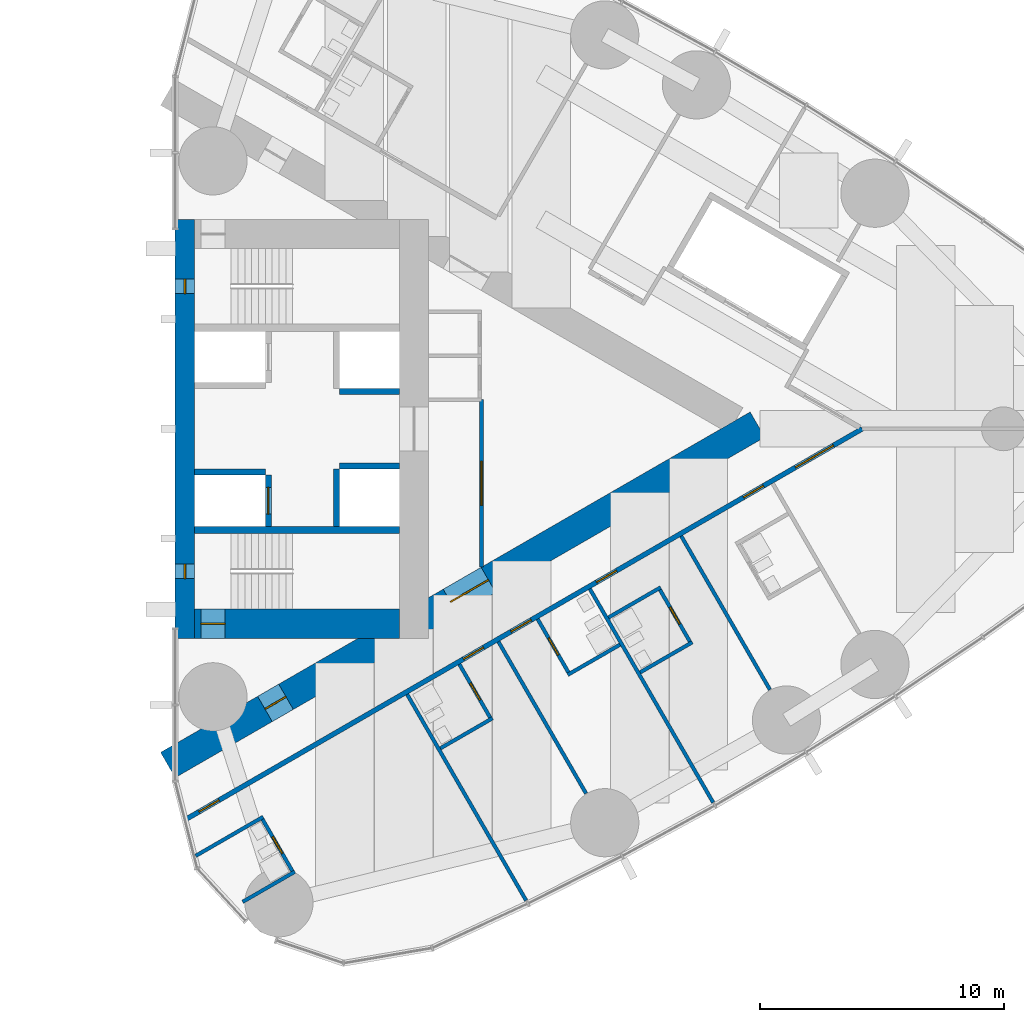
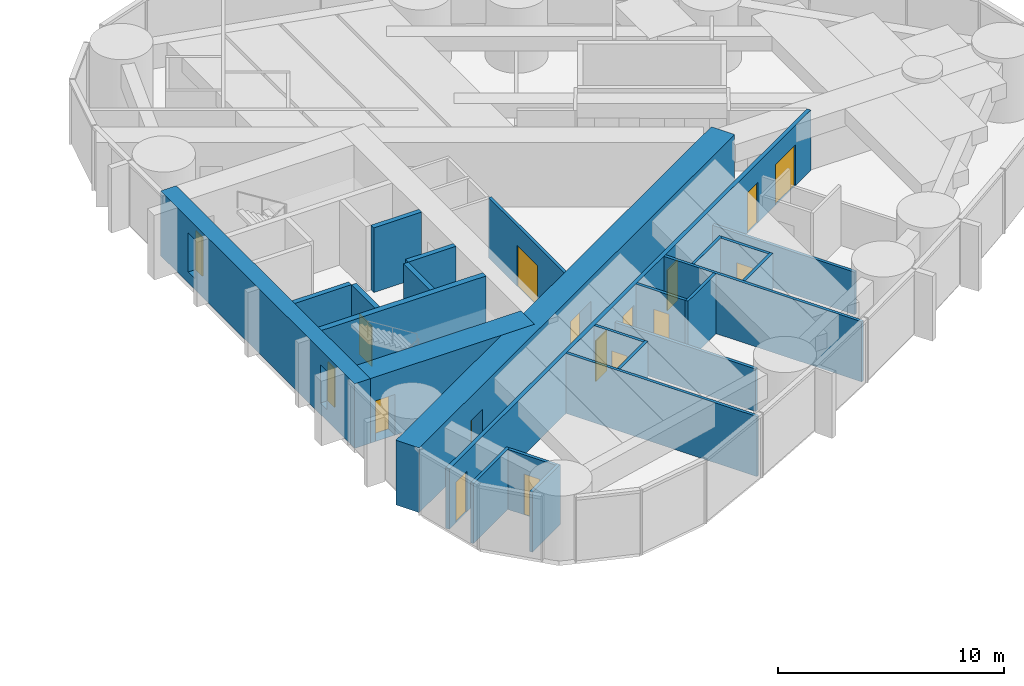
# One storey, part 14 of 19: 25 walls, 15 doors, 2 windows, 17 openings.
"""IFC4 building model written with IfcOpenShell, lengths in metres."""

from ifc_helpers import new_model, si_unit, direction, frame, frame_2d, origin, place, context, subcontext, project, spatial, rectangle, extrude, material, layer, layer_set, type_object, element, fill, save


model = new_model("IFC4")

# Units and contexts
model_context = context("Model", 3, precision=1e-05, world=origin(), true_north=direction((0.0, 1.0)))
body_context = subcontext(model_context, "Body", "Model", "MODEL_VIEW")
ifc_project = project(units=[si_unit("LENGTHUNIT", "METRE"), si_unit("AREAUNIT", "SQUARE_METRE"), si_unit("VOLUMEUNIT", "CUBIC_METRE"), si_unit("PLANEANGLEUNIT", "RADIAN"), si_unit("MASSUNIT", "GRAM", prefix="KILO")], contexts=[model_context])

# Site, building, storey
site_placement = place(None, origin())
site = spatial("IfcSite", under=ifc_project, at=site_placement, CompositionType="ELEMENT")
building_placement = place(site_placement, origin())
building = spatial("IfcBuilding", under=site, at=building_placement, Name="Lancet Gate Hotel", CompositionType="ELEMENT")
storey_placement = place(building_placement, frame((0.0, 0.0, 198.300048828125)))
storey = spatial("IfcBuildingStorey", under=building, at=storey_placement, Name="L53", CompositionType="ELEMENT", Elevation=198.300048828125)

# Wall
ifc_material_1 = material(Name="Moisture resistant board partition")
ifc_layer_1 = layer(ifc_material_1, 0.14990234375)
ifc_layer_set_1 = layer_set([ifc_layer_1], Name="Bathroom wall 150")
wall_type_1 = type_object("IfcWallType", Name="Bathroom wall 150", PredefinedType="PARTITIONING", material=ifc_layer_set_1)
wall_1_placement = place(storey_placement, frame((30.269287109375, -19.41796875, 0.0), z_axis=(0.0, 0.0, 1.0), x_axis=(0.866006523861, 0.500032699561, 0.0)))
element("IfcWall", 1, at=wall_1_placement, inside=storey, type_object=wall_type_1, Name="T2 bathroom wall 150 L53", PredefinedType="PARTITIONING", context=body_context, shape_type="SweptSolid", body=[
    extrude(rectangle(XDim=2.474853515625, YDim=0.14990234375, at=frame_2d((1.2373046875, 0.0))), origin(), (0.0, 0.0, 1.0), 3.25),
])

# Wall, opening, door
wall_2_placement = place(storey_placement, frame((31.0478515625, -15.96630859375, 0.0), z_axis=(0.0, 0.0, 1.0), x_axis=(0.499936506574, -0.866062058628, 0.0)))
wall_2 = element("IfcWall", 2, at=wall_2_placement, inside=storey, type_object=wall_type_1, Name="T2 bathroom wall 150 L53", PredefinedType="PARTITIONING", context=body_context, shape_type="SweptSolid", body=[
    extrude(rectangle(XDim=2.599853515625, YDim=0.14990234375, at=frame_2d((1.2998046875, 0.0))), origin(), (0.0, 0.0, 1.0), 3.25),
])
opening_1_placement = place(wall_2_placement, frame((0.89990234375, 0.0, 0.0)))
opening_1 = element("IfcOpeningElement", 3, at=opening_1_placement, cuts=wall_2, Name="Opening 5351-B", PredefinedType="OPENING", context=body_context, shape_type="SweptSolid", body=[
    extrude(rectangle(XDim=0.800048828125, YDim=2.199951171875, at=frame_2d((0.39990234375, 1.10009765625))), frame((0.0, 0.0849609375, 0.0), z_axis=(0.0, -1.0, 0.0), x_axis=(1.0, 0.0, 0.0)), (0.0, 0.0, 1.0), 0.169921875),
])
ifc_material_2 = material(Name="Timber door set", Category="wood")
door_type_1 = type_object("IfcDoorType", Name="Bathroom door 800", OperationType="SINGLE_SWING_RIGHT", PredefinedType="DOOR", material=ifc_material_2)
door_1_placement = place(opening_1_placement, origin())
door_1 = element("IfcDoor", 4, at=door_1_placement, inside=storey, type_object=door_type_1, Name="5351-B", OperationType="SINGLE_SWING_RIGHT", OverallHeight=2.199951171875, OverallWidth=0.800048828125, PredefinedType="DOOR", context=body_context, shape_type="SweptSolid", body=[
    extrude(rectangle(XDim=0.800048828125, YDim=2.199951171875, at=frame_2d((0.39990234375, 1.10009765625))), frame((0.0, 0.02490234375, 0.0), z_axis=(0.0, -1.0, 0.0), x_axis=(1.0, 0.0, 0.0)), (0.0, 0.0, 1.0), 0.050048828125),
])
fill(opening_1, door_1)

# Walls
wall_3_placement = place(storey_placement, frame((28.34326171875, -17.52783203125, 0.0), z_axis=(0.0, 0.0, 1.0), x_axis=(0.86600760081, 0.500030834389, 0.0)))
element("IfcWall", 5, at=wall_3_placement, inside=storey, type_object=wall_type_1, Name="T2 bathroom wall 150 L53", PredefinedType="PARTITIONING", context=body_context, shape_type="SweptSolid", body=[
    extrude(rectangle(XDim=3.197998046875, YDim=0.14990234375, at=frame_2d((1.59912109375, 0.0))), origin(), (0.0, 0.0, 1.0), 3.25),
])
wall_4_placement = place(storey_placement, frame((38.386962890625, -13.114501953125, 0.0), z_axis=(0.0, 0.0, 1.0), x_axis=(0.866073894602, 0.499916002032, 0.0)))
element("IfcWall", 6, at=wall_4_placement, inside=storey, type_object=wall_type_1, Name="T2 bathroom wall 150 L53", PredefinedType="PARTITIONING", context=body_context, shape_type="SweptSolid", body=[
    extrude(rectangle(XDim=2.47509765625, YDim=0.14990234375, at=frame_2d((1.237548828125, 0.0))), origin(), (0.0, 0.0, 1.0), 3.25),
])

# Wall, opening, door
wall_5_placement = place(storey_placement, frame((39.16552734375, -9.662841796875, 0.0), z_axis=(0.0, 0.0, 1.0), x_axis=(0.500006934395, -0.866021400173, 0.0)))
wall_5 = element("IfcWall", 7, at=wall_5_placement, inside=storey, type_object=wall_type_1, Name="T2 bathroom wall 150 L53", PredefinedType="PARTITIONING", context=body_context, shape_type="SweptSolid", body=[
    extrude(rectangle(XDim=2.60009765625, YDim=0.14990234375, at=frame_2d((1.300048828125, 0.0))), origin(), (0.0, 0.0, 1.0), 3.25),
])
opening_2_placement = place(wall_5_placement, frame((0.89990234375, 0.0, 0.0)))
opening_2 = element("IfcOpeningElement", 8, at=opening_2_placement, cuts=wall_5, Name="Opening 5353-B", PredefinedType="OPENING", context=body_context, shape_type="SweptSolid", body=[
    extrude(rectangle(XDim=0.800048828125, YDim=2.199951171875, at=frame_2d((0.39990234375, 1.10009765625))), frame((0.0, 0.0849609375, 0.0), z_axis=(0.0, -1.0, 0.0), x_axis=(1.0, 0.0, 0.0)), (0.0, 0.0, 1.0), 0.169921875),
])
door_2_placement = place(opening_2_placement, origin())
door_2 = element("IfcDoor", 9, at=door_2_placement, inside=storey, type_object=door_type_1, Name="5353-B", OperationType="SINGLE_SWING_RIGHT", OverallHeight=2.199951171875, OverallWidth=0.800048828125, PredefinedType="DOOR", context=body_context, shape_type="SweptSolid", body=[
    extrude(rectangle(XDim=0.800048828125, YDim=2.199951171875, at=frame_2d((0.39990234375, 1.10009765625))), frame((0.0, 0.02490234375, 0.0), z_axis=(0.0, -1.0, 0.0), x_axis=(1.0, 0.0, 0.0)), (0.0, 0.0, 1.0), 0.050048828125),
])
fill(opening_2, door_2)

# Wall
wall_6_placement = place(storey_placement, frame((43.613037109375, -10.097412109375, 0.0), z_axis=(0.0, 0.0, 1.0), x_axis=(0.866031185235, 0.4999899861, 0.0)))
element("IfcWall", 10, at=wall_6_placement, inside=storey, type_object=wall_type_1, Name="T2 bathroom wall 150 L53", PredefinedType="PARTITIONING", context=body_context, shape_type="SweptSolid", body=[
    extrude(rectangle(XDim=2.47509765625, YDim=0.14990234375, at=frame_2d((1.237548828125, 0.0))), origin(), (0.0, 0.0, 1.0), 3.25),
])

# Wall, opening, door
wall_7_placement = place(storey_placement, frame((42.3779296875, -7.80810546875, 0.0), z_axis=(0.0, 0.0, 1.0), x_axis=(0.500006934395, -0.866021400173, 0.0)))
wall_7 = element("IfcWall", 11, at=wall_7_placement, inside=storey, type_object=wall_type_1, Name="T2 bathroom wall 150 L53", PredefinedType="PARTITIONING", context=body_context, shape_type="SweptSolid", body=[
    extrude(rectangle(XDim=2.60009765625, YDim=0.14990234375, at=frame_2d((1.300048828125, 0.0))), origin(), (0.0, 0.0, 1.0), 3.25),
])
opening_3_placement = place(wall_7_placement, frame((0.89990234375, 0.0, 0.0)))
opening_3 = element("IfcOpeningElement", 12, at=opening_3_placement, cuts=wall_7, Name="Opening 5354-B", PredefinedType="OPENING", context=body_context, shape_type="SweptSolid", body=[
    extrude(rectangle(XDim=0.800048828125, YDim=2.199951171875, at=frame_2d((0.39990234375, 1.10009765625))), frame((0.0, 0.0849609375, 0.0), z_axis=(0.0, -1.0, 0.0), x_axis=(1.0, 0.0, 0.0)), (0.0, 0.0, 1.0), 0.169921875),
])
door_3_placement = place(opening_3_placement, origin())
door_3 = element("IfcDoor", 13, at=door_3_placement, inside=storey, type_object=door_type_1, Name="5354-B", OperationType="SINGLE_SWING_RIGHT", OverallHeight=2.199951171875, OverallWidth=0.800048828125, PredefinedType="DOOR", context=body_context, shape_type="SweptSolid", body=[
    extrude(rectangle(XDim=0.800048828125, YDim=2.199951171875, at=frame_2d((0.39990234375, 1.10009765625))), frame((0.0, 0.02490234375, 0.0), z_axis=(0.0, -1.0, 0.0), x_axis=(1.0, 0.0, 0.0)), (0.0, 0.0, 1.0), 0.050048828125),
])
fill(opening_3, door_3)

# Wall
wall_8_placement = place(storey_placement, frame((46.58642578125, -9.997314453125, 0.0), z_axis=(0.0, 0.0, 1.0), x_axis=(0.866006523861, 0.500032699561, 0.0)))
element("IfcWall", 14, at=wall_8_placement, inside=storey, type_object=wall_type_1, Name="T2 bathroom wall 150 L53", PredefinedType="PARTITIONING", context=body_context, shape_type="SweptSolid", body=[
    extrude(rectangle(XDim=2.474853515625, YDim=0.14990234375, at=frame_2d((1.2373046875, 0.0))), origin(), (0.0, 0.0, 1.0), 3.25),
])

# Wall, opening, door
wall_9_placement = place(storey_placement, frame((47.36474609375, -6.545654296875, 0.0), z_axis=(0.0, 0.0, 1.0), x_axis=(0.500006934395, -0.866021400173, 0.0)))
wall_9 = element("IfcWall", 15, at=wall_9_placement, inside=storey, type_object=wall_type_1, Name="T2 bathroom wall 150 L53", PredefinedType="PARTITIONING", context=body_context, shape_type="SweptSolid", body=[
    extrude(rectangle(XDim=2.60009765625, YDim=0.14990234375, at=frame_2d((1.300048828125, 0.0))), origin(), (0.0, 0.0, 1.0), 3.25),
])
opening_4_placement = place(wall_9_placement, frame((0.89990234375, 0.0, 0.0)))
opening_4 = element("IfcOpeningElement", 16, at=opening_4_placement, cuts=wall_9, Name="Opening 5355-B", PredefinedType="OPENING", context=body_context, shape_type="SweptSolid", body=[
    extrude(rectangle(XDim=0.800048828125, YDim=2.199951171875, at=frame_2d((0.39990234375, 1.10009765625))), frame((0.0, 0.0849609375, 0.0), z_axis=(0.0, -1.0, 0.0), x_axis=(1.0, 0.0, 0.0)), (0.0, 0.0, 1.0), 0.169921875),
])
door_4_placement = place(opening_4_placement, origin())
door_4 = element("IfcDoor", 17, at=door_4_placement, inside=storey, type_object=door_type_1, Name="5355-B", OperationType="SINGLE_SWING_RIGHT", OverallHeight=2.199951171875, OverallWidth=0.800048828125, PredefinedType="DOOR", context=body_context, shape_type="SweptSolid", body=[
    extrude(rectangle(XDim=0.800048828125, YDim=2.199951171875, at=frame_2d((0.39990234375, 1.10009765625))), frame((0.0, 0.02490234375, 0.0), z_axis=(0.0, -1.0, 0.0), x_axis=(1.0, 0.0, 0.0)), (0.0, 0.0, 1.0), 0.050048828125),
])
fill(opening_4, door_4)

# Wall
wall_10_placement = place(storey_placement, frame((45.286376953125, -7.74560546875, 0.0), z_axis=(0.0, 0.0, 1.0), x_axis=(0.866006523861, 0.500032699561, 0.0)))
element("IfcWall", 18, at=wall_10_placement, inside=storey, type_object=wall_type_1, Name="T2 bathroom wall 150 L53", PredefinedType="PARTITIONING", context=body_context, shape_type="SweptSolid", body=[
    extrude(rectangle(XDim=2.474853515625, YDim=0.14990234375, at=frame_2d((1.2373046875, 0.0))), origin(), (0.0, 0.0, 1.0), 3.25),
])

# Wall, openings, doors
ifc_material_3 = material(Name="Concrete C70/85", Category="concrete")
ifc_layer_2 = layer(ifc_material_3, 1.199951171875)
ifc_layer_set_2 = layer_set([ifc_layer_2], Name="Buttress wall 1200")
wall_type_2 = type_object("IfcWallType", Name="Buttress wall 1200", PredefinedType="SHEAR", material=ifc_layer_set_2)
wall_11_placement = place(storey_placement, frame((27.199951171875, -13.800048828125, 0.0), z_axis=(0.0, 0.0, 1.0), x_axis=(0.866027159892, 0.499996958321, 0.0)))
wall_11 = element("IfcWall", 19, at=wall_11_placement, inside=storey, type_object=wall_type_2, Name="T2 buttress wall S L53", PredefinedType="SHEAR", context=body_context, shape_type="SweptSolid", body=[
    extrude(rectangle(XDim=27.946533203125, YDim=1.199951171875, at=frame_2d((13.97314453125, 0.0))), origin(), (0.0, 0.0, 1.0), 3.5),
])
opening_5_placement = place(wall_11_placement, frame((4.60009765625, 0.0, 0.0)))
opening_5 = element("IfcOpeningElement", 20, at=opening_5_placement, cuts=wall_11, Name="Opening T2-L53-LS", PredefinedType="OPENING", context=body_context, shape_type="SweptSolid", body=[
    extrude(rectangle(XDim=1.0, YDim=2.199951171875, at=frame_2d((0.5, 1.10009765625))), frame((0.0, 0.60986328125, 0.0), z_axis=(0.0, -1.0, 0.0), x_axis=(1.0, 0.0, 0.0)), (0.0, 0.0, 1.0), 1.219970703125),
])
opening_6_placement = place(wall_11_placement, frame((13.39453125, 0.0, 0.0)))
opening_6 = element("IfcOpeningElement", 21, at=opening_6_placement, cuts=wall_11, Name="Opening T2-L53-LHS", PredefinedType="OPENING", context=body_context, shape_type="SweptSolid", body=[
    extrude(rectangle(XDim=1.800048828125, YDim=2.199951171875, at=frame_2d((0.89990234375, 1.10009765625))), frame((0.0, 0.60986328125, 0.0), z_axis=(0.0, -1.0, 0.0), x_axis=(1.0, 0.0, 0.0)), (0.0, 0.0, 1.0), 1.219970703125),
])
ifc_material_4 = material(Name="Timber door set", Category="wood")
door_type_2 = type_object("IfcDoorType", Name="Lobby double door 1800", OperationType="DOUBLE_DOOR_SINGLE_SWING", PredefinedType="DOOR", material=ifc_material_4)
door_5_placement = place(opening_6_placement, origin())
door_5 = element("IfcDoor", 22, at=door_5_placement, inside=storey, type_object=door_type_2, Name="T2-L53-LHS", OperationType="DOUBLE_DOOR_SINGLE_SWING", OverallHeight=2.199951171875, OverallWidth=1.800048828125, PredefinedType="DOOR", context=body_context, shape_type="SweptSolid", body=[
    extrude(rectangle(XDim=1.800048828125, YDim=2.199951171875, at=frame_2d((0.89990234375, 1.10009765625))), frame((0.0, 0.02490234375, 0.0), z_axis=(0.0, -1.0, 0.0), x_axis=(1.0, 0.0, 0.0)), (0.0, 0.0, 1.0), 0.050048828125),
])
fill(opening_6, door_5)
ifc_material_5 = material(Name="Timber door set", Category="wood")
door_type_3 = type_object("IfcDoorType", Name="Stair lobby door 1000", OperationType="SINGLE_SWING_LEFT", PredefinedType="DOOR", material=ifc_material_5)
door_6_placement = place(opening_5_placement, origin())
door_6 = element("IfcDoor", 23, at=door_6_placement, inside=storey, type_object=door_type_3, Name="T2-L53-LS", OperationType="SINGLE_SWING_LEFT", OverallHeight=2.199951171875, OverallWidth=1.0, PredefinedType="DOOR", context=body_context, shape_type="SweptSolid", body=[
    extrude(rectangle(XDim=1.0, YDim=2.199951171875, at=frame_2d((0.5, 1.10009765625))), frame((0.0, 0.02490234375, 0.0), z_axis=(0.0, -1.0, 0.0), x_axis=(1.0, 0.0, 0.0)), (0.0, 0.0, 1.0), 0.050048828125),
])
fill(opening_5, door_6)

# Wall, opening, door
ifc_material_6 = material(Name="Concrete C70/85", Category="concrete")
ifc_layer_3 = layer(ifc_material_6, 1.199951171875)
ifc_layer_set_3 = layer_set([ifc_layer_3], Name="Core wall 1200")
wall_type_3 = type_object("IfcWallType", Name="Core wall 1200", PredefinedType="SHEAR", material=ifc_layer_set_3)
wall_12_placement = place(storey_placement, frame((28.300048828125, -8.0, 0.0), z_axis=(0.0, 0.0, 1.0), x_axis=(1.0, 0.0, 0.0)))
wall_12 = element("IfcWall", 24, at=wall_12_placement, inside=storey, type_object=wall_type_3, Name="T2 core wall side-S L53", PredefinedType="SHEAR", context=body_context, shape_type="SweptSolid", body=[
    extrude(rectangle(XDim=8.39990234375, YDim=1.199951171875, at=frame_2d((4.199951171875, 0.0))), origin(), (0.0, 0.0, 1.0), 3.5),
])
opening_7_placement = place(wall_12_placement, frame((0.25, 0.0, 0.0)))
opening_7 = element("IfcOpeningElement", 25, at=opening_7_placement, cuts=wall_12, Name="Opening T2-L53-ST1", PredefinedType="OPENING", context=body_context, shape_type="SweptSolid", body=[
    extrude(rectangle(XDim=1.0, YDim=2.199951171875, at=frame_2d((0.5, 1.10009765625))), frame((0.0, 0.60986328125, 0.0), z_axis=(0.0, -1.0, 0.0), x_axis=(1.0, 0.0, 0.0)), (0.0, 0.0, 1.0), 1.219970703125),
])
ifc_material_7 = material(Name="Timber door set", Category="wood")
door_type_4 = type_object("IfcDoorType", Name="Stair door 1000", OperationType="SINGLE_SWING_RIGHT", PredefinedType="DOOR", material=ifc_material_7)
door_7_placement = place(opening_7_placement, origin())
door_7 = element("IfcDoor", 26, at=door_7_placement, inside=storey, type_object=door_type_4, Name="T2-L53-ST1", OperationType="SINGLE_SWING_RIGHT", OverallHeight=2.199951171875, OverallWidth=1.0, PredefinedType="DOOR", context=body_context, shape_type="SweptSolid", body=[
    extrude(rectangle(XDim=1.0, YDim=2.199951171875, at=frame_2d((0.5, 1.10009765625))), frame((0.0, 0.02490234375, 0.0), z_axis=(0.0, -1.0, 0.0), x_axis=(1.0, 0.0, 0.0)), (0.0, 0.0, 1.0), 0.050048828125),
])
fill(opening_7, door_7)

# Wall, openings, windows
ifc_material_8 = material(Name="Concrete C70/85", Category="concrete")
ifc_layer_4 = layer(ifc_material_8, 0.800048828125)
ifc_layer_set_4 = layer_set([ifc_layer_4], Name="Core wall 800")
wall_type_4 = type_object("IfcWallType", Name="Core wall 800", PredefinedType="SHEAR", material=ifc_layer_set_4)
wall_13_placement = place(storey_placement, frame((27.89990234375, -8.60009765625, 0.0), z_axis=(0.0, 0.0, 1.0), x_axis=(0.0, 1.0, 0.0)))
wall_13 = element("IfcWall", 27, at=wall_13_placement, inside=storey, type_object=wall_type_4, Name="T2 core wall front L53", PredefinedType="SHEAR", context=body_context, shape_type="SweptSolid", body=[
    extrude(rectangle(XDim=17.2001953125, YDim=0.800048828125, at=frame_2d((8.60009765625, 0.0))), origin(), (0.0, 0.0, 1.0), 3.5),
])
opening_8_placement = place(wall_13_placement, frame((2.449951171875, 0.0, 0.60009765625)))
opening_8 = element("IfcOpeningElement", 28, at=opening_8_placement, cuts=wall_13, Name="Opening LW1", PredefinedType="OPENING", context=body_context, shape_type="SweptSolid", body=[
    extrude(rectangle(XDim=0.60009765625, YDim=2.10009765625, at=frame_2d((0.300048828125, 1.050048828125))), frame((0.0, 0.409912109375, 0.0), z_axis=(0.0, -1.0, 0.0), x_axis=(1.0, 0.0, 0.0)), (0.0, 0.0, 1.0), 0.820068359375),
])
opening_9_placement = place(wall_13_placement, frame((14.14990234375, 0.0, 0.60009765625)))
opening_9 = element("IfcOpeningElement", 29, at=opening_9_placement, cuts=wall_13, Name="Opening LW1", PredefinedType="OPENING", context=body_context, shape_type="SweptSolid", body=[
    extrude(rectangle(XDim=0.60009765625, YDim=2.10009765625, at=frame_2d((0.300048828125, 1.050048828125))), frame((0.0, 0.409912109375, 0.0), z_axis=(0.0, -1.0, 0.0), x_axis=(1.0, 0.0, 0.0)), (0.0, 0.0, 1.0), 0.820068359375),
])
ifc_material_9 = material(Name="Fire-resisting glazed steel window", Category="steel")
window_type = type_object("IfcWindowType", Name="Lancet window 600x2100", PartitioningType="SINGLE_PANEL", PredefinedType="WINDOW", material=ifc_material_9)
window_1_placement = place(opening_8_placement, origin())
window_1 = element("IfcWindow", 30, at=window_1_placement, inside=storey, type_object=window_type, Name="T2 stair window S L53", OverallHeight=2.10009765625, OverallWidth=0.60009765625, PartitioningType="SINGLE_PANEL", PredefinedType="WINDOW", context=body_context, shape_type="SweptSolid", body=[
    extrude(rectangle(XDim=0.60009765625, YDim=2.10009765625, at=frame_2d((0.300048828125, 1.050048828125))), frame((0.0, 0.030029296875, 0.0), z_axis=(0.0, -1.0, 0.0), x_axis=(1.0, 0.0, 0.0)), (0.0, 0.0, 1.0), 0.06005859375),
])
fill(opening_8, window_1)
window_2_placement = place(opening_9_placement, origin())
window_2 = element("IfcWindow", 31, at=window_2_placement, inside=storey, type_object=window_type, Name="T2 stair window N L53", OverallHeight=2.10009765625, OverallWidth=0.60009765625, PartitioningType="SINGLE_PANEL", PredefinedType="WINDOW", context=body_context, shape_type="SweptSolid", body=[
    extrude(rectangle(XDim=0.60009765625, YDim=2.10009765625, at=frame_2d((0.300048828125, 1.050048828125))), frame((0.0, 0.030029296875, 0.0), z_axis=(0.0, -1.0, 0.0), x_axis=(1.0, 0.0, 0.0)), (0.0, 0.0, 1.0), 0.06005859375),
])
fill(opening_9, window_2)

# Wall, openings, doors
ifc_material_10 = material(Name="Gypsum board partition")
ifc_layer_5 = layer(ifc_material_10, 0.199951171875)
ifc_layer_set_5 = layer_set([ifc_layer_5], Name="Corridor wall 200")
wall_type_5 = type_object("IfcWallType", Name="Corridor wall 200", PredefinedType="PARTITIONING", material=ifc_layer_set_5)
wall_14_placement = place(storey_placement, frame((27.95947265625, -16.017333984375, 0.0), z_axis=(0.0, 0.0, 1.0), x_axis=(0.866024151371, 0.500002169237, 0.0)))
wall_14 = element("IfcWall", 32, at=wall_14_placement, inside=storey, type_object=wall_type_5, Name="T2 corridor wall 200 L53", PredefinedType="PARTITIONING", context=body_context, shape_type="SweptSolid", body=[
    extrude(rectangle(XDim=32.034423828125, YDim=0.199951171875, at=frame_2d((16.01708984375, 0.0))), origin(), (0.0, 0.0, 1.0), 3.25),
])
opening_10_placement = place(wall_14_placement, frame((0.60009765625, 0.0, 0.0)))
opening_10 = element("IfcOpeningElement", 33, at=opening_10_placement, cuts=wall_14, Name="Opening 5351-E", PredefinedType="OPENING", context=body_context, shape_type="SweptSolid", body=[
    extrude(rectangle(XDim=0.949951171875, YDim=2.199951171875, at=frame_2d((0.47509765625, 1.10009765625))), frame((0.0, 0.10986328125, 0.0), z_axis=(0.0, -1.0, 0.0), x_axis=(1.0, 0.0, 0.0)), (0.0, 0.0, 1.0), 0.219970703125),
])
opening_11_placement = place(wall_14_placement, frame((13.1318359375, 0.0, 0.0)))
opening_11 = element("IfcOpeningElement", 34, at=opening_11_placement, cuts=wall_14, Name="Opening 5353-E", PredefinedType="OPENING", context=body_context, shape_type="SweptSolid", body=[
    extrude(rectangle(XDim=0.949951171875, YDim=2.199951171875, at=frame_2d((0.47509765625, 1.10009765625))), frame((0.0, 0.10986328125, 0.0), z_axis=(0.0, -1.0, 0.0), x_axis=(1.0, 0.0, 0.0)), (0.0, 0.0, 1.0), 0.219970703125),
])
opening_12_placement = place(wall_14_placement, frame((15.391357421875, 0.0, 0.0)))
opening_12 = element("IfcOpeningElement", 35, at=opening_12_placement, cuts=wall_14, Name="Opening 5354-E", PredefinedType="OPENING", context=body_context, shape_type="SweptSolid", body=[
    extrude(rectangle(XDim=0.949951171875, YDim=2.199951171875, at=frame_2d((0.47509765625, 1.10009765625))), frame((0.0, 0.10986328125, 0.0), z_axis=(0.0, -1.0, 0.0), x_axis=(1.0, 0.0, 0.0)), (0.0, 0.0, 1.0), 0.219970703125),
])
opening_13_placement = place(wall_14_placement, frame((19.44140625, 0.0, 0.0)))
opening_13 = element("IfcOpeningElement", 36, at=opening_13_placement, cuts=wall_14, Name="Opening 5355-E", PredefinedType="OPENING", context=body_context, shape_type="SweptSolid", body=[
    extrude(rectangle(XDim=0.949951171875, YDim=2.199951171875, at=frame_2d((0.47509765625, 1.10009765625))), frame((0.0, 0.10986328125, 0.0), z_axis=(0.0, -1.0, 0.0), x_axis=(1.0, 0.0, 0.0)), (0.0, 0.0, 1.0), 0.219970703125),
])
opening_14_placement = place(wall_14_placement, frame((26.406005859375, 0.0, 0.0)))
opening_14 = element("IfcOpeningElement", 37, at=opening_14_placement, cuts=wall_14, Name="Opening 5356-E", PredefinedType="OPENING", context=body_context, shape_type="SweptSolid", body=[
    extrude(rectangle(XDim=0.949951171875, YDim=2.199951171875, at=frame_2d((0.47509765625, 1.10009765625))), frame((0.0, 0.10986328125, 0.0), z_axis=(0.0, -1.0, 0.0), x_axis=(1.0, 0.0, 0.0)), (0.0, 0.0, 1.0), 0.219970703125),
])
opening_15_placement = place(wall_14_placement, frame((28.870361328125, 0.0, 0.0)))
opening_15 = element("IfcOpeningElement", 38, at=opening_15_placement, cuts=wall_14, Name="Opening 5357-E", PredefinedType="OPENING", context=body_context, shape_type="SweptSolid", body=[
    extrude(rectangle(XDim=1.800048828125, YDim=2.199951171875, at=frame_2d((0.89990234375, 1.10009765625))), frame((0.0, 0.10986328125, 0.0), z_axis=(0.0, -1.0, 0.0), x_axis=(1.0, 0.0, 0.0)), (0.0, 0.0, 1.0), 0.219970703125),
])
ifc_material_11 = material(Name="Timber door set", Category="wood")
door_type_5 = type_object("IfcDoorType", Name="Double door 1800", OperationType="DOUBLE_DOOR_SINGLE_SWING", PredefinedType="DOOR", material=ifc_material_11)
door_8_placement = place(opening_15_placement, origin())
door_8 = element("IfcDoor", 39, at=door_8_placement, inside=storey, type_object=door_type_5, Name="5357-E", OperationType="DOUBLE_DOOR_SINGLE_SWING", OverallHeight=2.199951171875, OverallWidth=1.800048828125, PredefinedType="DOOR", context=body_context, shape_type="SweptSolid", body=[
    extrude(rectangle(XDim=1.800048828125, YDim=2.199951171875, at=frame_2d((0.89990234375, 1.10009765625))), frame((0.0, 0.02490234375, 0.0), z_axis=(0.0, -1.0, 0.0), x_axis=(1.0, 0.0, 0.0)), (0.0, 0.0, 1.0), 0.050048828125),
])
fill(opening_15, door_8)
ifc_material_12 = material(Name="Timber door set", Category="wood")
door_type_6 = type_object("IfcDoorType", Name="Guest room entry door 950", OperationType="SINGLE_SWING_LEFT", PredefinedType="DOOR", material=ifc_material_12)
door_9_placement = place(opening_10_placement, origin())
door_9 = element("IfcDoor", 40, at=door_9_placement, inside=storey, type_object=door_type_6, Name="5351-E", OperationType="SINGLE_SWING_LEFT", OverallHeight=2.199951171875, OverallWidth=0.949951171875, PredefinedType="DOOR", context=body_context, shape_type="SweptSolid", body=[
    extrude(rectangle(XDim=0.949951171875, YDim=2.199951171875, at=frame_2d((0.47509765625, 1.10009765625))), frame((0.0, 0.02490234375, 0.0), z_axis=(0.0, -1.0, 0.0), x_axis=(1.0, 0.0, 0.0)), (0.0, 0.0, 1.0), 0.050048828125),
])
fill(opening_10, door_9)
door_10_placement = place(opening_11_placement, origin())
door_10 = element("IfcDoor", 41, at=door_10_placement, inside=storey, type_object=door_type_6, Name="5353-E", OperationType="SINGLE_SWING_LEFT", OverallHeight=2.199951171875, OverallWidth=0.949951171875, PredefinedType="DOOR", context=body_context, shape_type="SweptSolid", body=[
    extrude(rectangle(XDim=0.949951171875, YDim=2.199951171875, at=frame_2d((0.47509765625, 1.10009765625))), frame((0.0, 0.02490234375, 0.0), z_axis=(0.0, -1.0, 0.0), x_axis=(1.0, 0.0, 0.0)), (0.0, 0.0, 1.0), 0.050048828125),
])
fill(opening_11, door_10)
door_11_placement = place(opening_12_placement, origin())
door_11 = element("IfcDoor", 42, at=door_11_placement, inside=storey, type_object=door_type_6, Name="5354-E", OperationType="SINGLE_SWING_LEFT", OverallHeight=2.199951171875, OverallWidth=0.949951171875, PredefinedType="DOOR", context=body_context, shape_type="SweptSolid", body=[
    extrude(rectangle(XDim=0.949951171875, YDim=2.199951171875, at=frame_2d((0.47509765625, 1.10009765625))), frame((0.0, 0.02490234375, 0.0), z_axis=(0.0, -1.0, 0.0), x_axis=(1.0, 0.0, 0.0)), (0.0, 0.0, 1.0), 0.050048828125),
])
fill(opening_12, door_11)
door_12_placement = place(opening_13_placement, origin())
door_12 = element("IfcDoor", 43, at=door_12_placement, inside=storey, type_object=door_type_6, Name="5355-E", OperationType="SINGLE_SWING_LEFT", OverallHeight=2.199951171875, OverallWidth=0.949951171875, PredefinedType="DOOR", context=body_context, shape_type="SweptSolid", body=[
    extrude(rectangle(XDim=0.949951171875, YDim=2.199951171875, at=frame_2d((0.47509765625, 1.10009765625))), frame((0.0, 0.02490234375, 0.0), z_axis=(0.0, -1.0, 0.0), x_axis=(1.0, 0.0, 0.0)), (0.0, 0.0, 1.0), 0.050048828125),
])
fill(opening_13, door_12)
door_13_placement = place(opening_14_placement, origin())
door_13 = element("IfcDoor", 44, at=door_13_placement, inside=storey, type_object=door_type_6, Name="5356-E", OperationType="SINGLE_SWING_LEFT", OverallHeight=2.199951171875, OverallWidth=0.949951171875, PredefinedType="DOOR", context=body_context, shape_type="SweptSolid", body=[
    extrude(rectangle(XDim=0.949951171875, YDim=2.199951171875, at=frame_2d((0.47509765625, 1.10009765625))), frame((0.0, 0.02490234375, 0.0), z_axis=(0.0, -1.0, 0.0), x_axis=(1.0, 0.0, 0.0)), (0.0, 0.0, 1.0), 0.050048828125),
])
fill(opening_14, door_13)

# Wall, opening, door
ifc_material_13 = material(Name="Concrete C50/60", Category="concrete")
ifc_layer_6 = layer(ifc_material_13, 0.25)
ifc_layer_set_6 = layer_set([ifc_layer_6], Name="Lift shaft wall 250")
wall_type_6 = type_object("IfcWallType", Name="Lift shaft wall 250", PredefinedType="SHEAR", material=ifc_layer_set_6)
wall_15_placement = place(storey_placement, frame((31.324951171875, -4.0, 0.0), z_axis=(0.0, 0.0, 1.0), x_axis=(0.0, 1.0, 0.0)))
wall_15 = element("IfcWall", 45, at=wall_15_placement, inside=storey, type_object=wall_type_6, Name="T2 core wall row1-S L53", PredefinedType="SHEAR", context=body_context, shape_type="SweptSolid", body=[
    extrude(rectangle(XDim=2.10009765625, YDim=0.25, at=frame_2d((1.050048828125, 0.0))), origin(), (0.0, 0.0, 1.0), 3.5),
])
opening_16_placement = place(wall_15_placement, frame((0.5, 0.0, 0.0)))
opening_16 = element("IfcOpeningElement", 46, at=opening_16_placement, cuts=wall_15, Name="Opening T2-SL1-L53", PredefinedType="OPENING", context=body_context, shape_type="SweptSolid", body=[
    extrude(rectangle(XDim=1.10009765625, YDim=2.199951171875, at=frame_2d((0.550048828125, 1.10009765625))), frame((0.0, 0.135009765625, 0.0), z_axis=(0.0, -1.0, 0.0), x_axis=(1.0, 0.0, 0.0)), (0.0, 0.0, 1.0), 0.27001953125),
])
ifc_material_14 = material(Name="Timber door set", Category="wood")
door_type_7 = type_object("IfcDoorType", Name="Service lift landing door 1100", OperationType="SLIDING_TO_LEFT", PredefinedType="USERDEFINED", material=ifc_material_14)
door_14_placement = place(opening_16_placement, origin())
door_14 = element("IfcDoor", 47, at=door_14_placement, inside=storey, type_object=door_type_7, Name="T2-SL1-L53", ObjectType="LIFT LANDING DOOR", OperationType="SLIDING_TO_LEFT", OverallHeight=2.199951171875, OverallWidth=1.10009765625, PredefinedType="USERDEFINED", context=body_context, shape_type="SweptSolid", body=[
    extrude(rectangle(XDim=1.10009765625, YDim=2.199951171875, at=frame_2d((0.550048828125, 1.10009765625))), frame((0.0, 0.02490234375, 0.0), z_axis=(0.0, -1.0, 0.0), x_axis=(1.0, 0.0, 0.0)), (0.0, 0.0, 1.0), 0.050048828125),
])
fill(opening_16, door_14)

# Walls
wall_16_placement = place(storey_placement, frame((34.125, -4.0, 0.0), z_axis=(0.0, 0.0, 1.0), x_axis=(0.0, 1.0, 0.0)))
element("IfcWall", 48, at=wall_16_placement, inside=storey, type_object=wall_type_6, Name="T2 core wall row2-S L53", PredefinedType="SHEAR", context=body_context, shape_type="SweptSolid", body=[
    extrude(rectangle(XDim=2.35009765625, YDim=0.25, at=frame_2d((1.175048828125, 0.0))), origin(), (0.0, 0.0, 1.0), 3.5),
])
wall_17_placement = place(storey_placement, frame((28.300048828125, -1.77490234375, 0.0), z_axis=(0.0, 0.0, 1.0), x_axis=(1.0, 0.0, 0.0)))
element("IfcWall", 49, at=wall_17_placement, inside=storey, type_object=wall_type_6, Name="T2 core wall pass1-S L53", PredefinedType="SHEAR", context=body_context, shape_type="SweptSolid", body=[
    extrude(rectangle(XDim=2.89990234375, YDim=0.25, at=frame_2d((1.449951171875, 0.0))), origin(), (0.0, 0.0, 1.0), 3.5),
])
for number, where, z_axis, x_axis, name in (
    (50, (34.25, -1.52490234375, 0.0), (0.0, 0.0, 1.0), (1.0, 0.0, 0.0), "T2 core wall pass2-S L53"),
    (51, (34.25, 1.52490234375, 0.0), (0.0, 0.0, 1.0), (1.0, 0.0, 0.0), "T2 core wall pass2-N L53"),
):
    element("IfcWall", number, at=place(storey_placement, frame(where, z_axis=z_axis, x_axis=x_axis)), inside=storey, type_object=wall_type_6, Name=name, PredefinedType="SHEAR", context=body_context, shape_type="SweptSolid", body=[
        extrude(rectangle(XDim=2.449951171875, YDim=0.25, at=frame_2d((1.22509765625, 0.0))), origin(), (0.0, 0.0, 1.0), 3.5),
    ])
ifc_material_15 = material(Name="Gypsum board partition")
ifc_layer_7 = layer(ifc_material_15, 0.14990234375)
ifc_layer_set_7 = layer_set([ifc_layer_7], Name="Party wall 150")
wall_type_7 = type_object("IfcWallType", Name="Party wall 150", PredefinedType="PARTITIONING", material=ifc_layer_set_7)
wall_18_placement = place(storey_placement, frame((37.022216796875, -10.900390625, 0.0), z_axis=(0.0, 0.0, 1.0), x_axis=(0.499998620953, -0.866026199976, 0.0)))
element("IfcWall", 52, at=wall_18_placement, inside=storey, type_object=wall_type_7, Name="T2 party wall 150 L53", PredefinedType="PARTITIONING", context=body_context, shape_type="SweptSolid", body=[
    extrude(rectangle(XDim=9.76953125, YDim=0.14990234375, at=frame_2d((4.884765625, 0.0))), origin(), (0.0, 0.0, 1.0), 3.25),
])
wall_19_placement = place(storey_placement, frame((40.769287109375, -8.737060546875, 0.0), z_axis=(0.0, 0.0, 1.0), x_axis=(0.500013115284, -0.866017831539, 0.0)))
element("IfcWall", 53, at=wall_19_placement, inside=storey, type_object=wall_type_7, Name="T2 party wall 150 L53", PredefinedType="PARTITIONING", context=body_context, shape_type="SweptSolid", body=[
    extrude(rectangle(XDim=7.197998046875, YDim=0.14990234375, at=frame_2d((3.59912109375, 0.0))), origin(), (0.0, 0.0, 1.0), 2.300048828125),
])
wall_20_placement = place(storey_placement, frame((44.521484375, -6.57080078125, 0.0), z_axis=(0.0, 0.0, 1.0), x_axis=(0.500010457486, -0.866019366068, 0.0)))
element("IfcWall", 54, at=wall_20_placement, inside=storey, type_object=wall_type_7, Name="T2 party wall 150 L53", PredefinedType="PARTITIONING", context=body_context, shape_type="SweptSolid", body=[
    extrude(rectangle(XDim=10.126220703125, YDim=0.14990234375, at=frame_2d((5.06298828125, 0.0))), origin(), (0.0, 0.0, 1.0), 3.25),
])
wall_21_placement = place(storey_placement, frame((48.274658203125, -4.40380859375, 0.0), z_axis=(0.0, 0.0, 1.0), x_axis=(0.500006004368, -0.866021937133, 0.0)))
element("IfcWall", 55, at=wall_21_placement, inside=storey, type_object=wall_type_7, Name="T2 party wall 150 L53", PredefinedType="PARTITIONING", context=body_context, shape_type="SweptSolid", body=[
    extrude(rectangle(XDim=7.279296875, YDim=0.14990234375, at=frame_2d((3.6396484375, 0.0))), origin(), (0.0, 0.0, 1.0), 2.300048828125),
])

# Wall, opening, door
ifc_material_16 = material(Name="Gypsum board partition")
ifc_layer_8 = layer(ifc_material_16, 0.14990234375)
ifc_layer_set_8 = layer_set([ifc_layer_8], Name="Service room wall 150")
wall_type_8 = type_object("IfcWallType", Name="Service room wall 150", PredefinedType="PARTITIONING", material=ifc_layer_set_8)
wall_22_placement = place(storey_placement, frame((40.074951171875, -5.673828125, 0.0), z_axis=(0.0, 0.0, 1.0), x_axis=(0.0, 1.0, 0.0)))
wall_22 = element("IfcWall", 56, at=wall_22_placement, inside=storey, type_object=wall_type_8, Name="T2 service room wall 150 L53", PredefinedType="PARTITIONING", context=body_context, shape_type="SweptSolid", body=[
    extrude(rectangle(XDim=6.873779296875, YDim=0.14990234375, at=frame_2d((3.43701171875, 0.0))), origin(), (0.0, 0.0, 1.0), 3.25),
])
opening_17_placement = place(wall_22_placement, frame((2.536865234375, 0.0, 0.0)))
opening_17 = element("IfcOpeningElement", 57, at=opening_17_placement, cuts=wall_22, Name="Opening T2-L53-LH", PredefinedType="OPENING", context=body_context, shape_type="SweptSolid", body=[
    extrude(rectangle(XDim=1.800048828125, YDim=2.199951171875, at=frame_2d((0.89990234375, 1.10009765625))), frame((0.0, 0.0849609375, 0.0), z_axis=(0.0, -1.0, 0.0), x_axis=(1.0, 0.0, 0.0)), (0.0, 0.0, 1.0), 0.169921875),
])
door_15_placement = place(opening_17_placement, origin())
door_15 = element("IfcDoor", 58, at=door_15_placement, inside=storey, type_object=door_type_2, Name="T2-L53-LH", OperationType="DOUBLE_DOOR_SINGLE_SWING", OverallHeight=2.199951171875, OverallWidth=1.800048828125, PredefinedType="DOOR", context=body_context, shape_type="SweptSolid", body=[
    extrude(rectangle(XDim=1.800048828125, YDim=2.199951171875, at=frame_2d((0.89990234375, 1.10009765625))), frame((0.0, 0.02490234375, 0.0), z_axis=(0.0, -1.0, 0.0), x_axis=(1.0, 0.0, 0.0)), (0.0, 0.0, 1.0), 0.050048828125),
])
fill(opening_17, door_15)

# Wall
ifc_material_17 = material(Name="Concrete C50/60", Category="concrete")
ifc_layer_9 = layer(ifc_material_17, 0.300048828125)
ifc_layer_set_9 = layer_set([ifc_layer_9], Name="Stair enclosure wall 300")
wall_type_9 = type_object("IfcWallType", Name="Stair enclosure wall 300", PredefinedType="SHEAR", material=ifc_layer_set_9)
wall_23_placement = place(storey_placement, frame((28.300048828125, -4.14990234375, 0.0), z_axis=(0.0, 0.0, 1.0), x_axis=(1.0, 0.0, 0.0)))
element("IfcWall", 59, at=wall_23_placement, inside=storey, type_object=wall_type_9, Name="T2 core wall stair-S L53", PredefinedType="SHEAR", context=body_context, shape_type="SweptSolid", body=[
    extrude(rectangle(XDim=8.39990234375, YDim=0.300048828125, at=frame_2d((4.199951171875, 0.0))), origin(), (0.0, 0.0, 1.0), 3.5),
])

save(model, "model.ifc")
